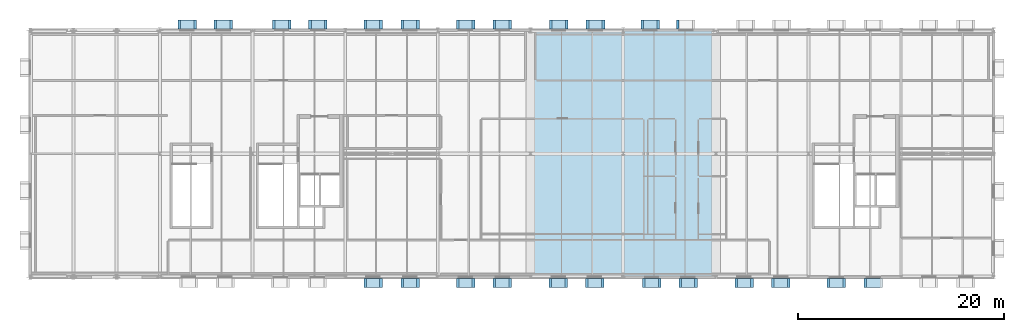
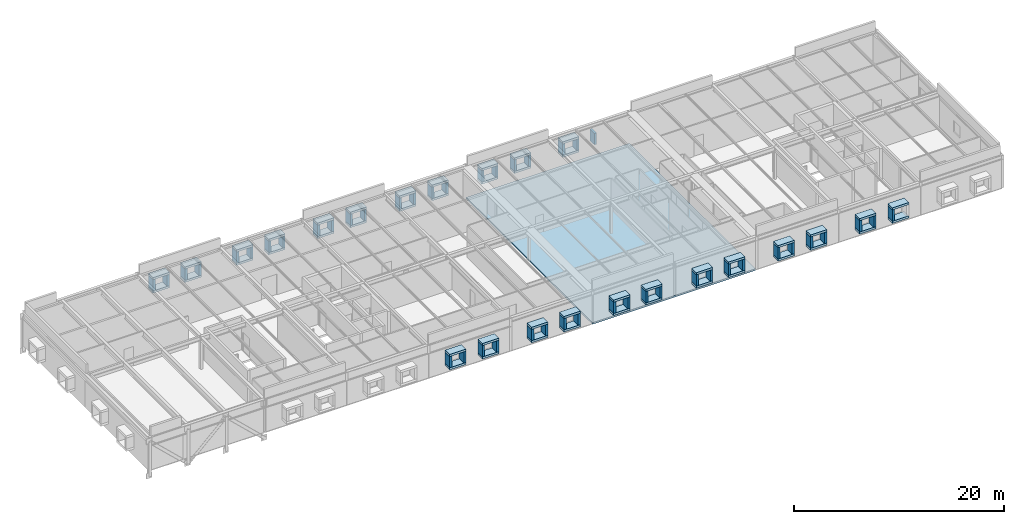
# One storey, part 6 of 16: 92 plates, 1 slab.
"""IFC4 building model written with IfcOpenShell, lengths in metres."""

from ifc_helpers import new_model, si_unit, direction, frame, origin, origin_2d, place, context, subcontext, project, spatial, polyline, rectangle, outline, extrude, material, layer, layer_set, type_object, element, save


model = new_model("IFC4")

# Units and contexts
model_context = context("Model", 3, precision=1e-05, world=origin(), true_north=direction((0.0, 1.0)))
body_context = subcontext(model_context, "Body", "Model", "MODEL_VIEW")
ifc_project = project(units=[si_unit("LENGTHUNIT", "METRE"), si_unit("AREAUNIT", "SQUARE_METRE"), si_unit("VOLUMEUNIT", "CUBIC_METRE"), si_unit("PLANEANGLEUNIT", "RADIAN"), si_unit("MASSUNIT", "GRAM", prefix="KILO")], contexts=[model_context])

# Site, building, storey
site_placement = place(None, origin())
site = spatial("IfcSite", under=ifc_project, at=site_placement, CompositionType="ELEMENT")
building_placement = place(site_placement, origin())
building = spatial("IfcBuilding", under=site, at=building_placement, Name="Montelvaro Courts of Justice", CompositionType="ELEMENT")
storey_placement = place(building_placement, frame((0.0, 0.0, 35.39990234375)))
storey = spatial("IfcBuildingStorey", under=building, at=storey_placement, Name="L08", CompositionType="ELEMENT", Elevation=35.39990234375)

# Slab
ifc_material_1 = material(Name="Concrete C35/45", Category="concrete")
ifc_layer_1 = layer(ifc_material_1, 0.199951171875)
ifc_layer_set_1 = layer_set([ifc_layer_1], Name="Concrete C35/45")
slab_type = type_object("IfcSlabType", Name="FloorSlab_200", PredefinedType="FLOOR", material=ifc_layer_set_1)
slab_placement = place(storey_placement, frame((0.0, 0.0, -0.199951171875)))
element("IfcSlab", 1, at=slab_placement, inside=storey, type_object=slab_type, Name="Structural Slab SF-09 L08", PredefinedType="FLOOR", context=body_context, shape_type="SweptSolid", body=[
    extrude(outline(polyline([(81.050048828125, 0.0), (98.949951171875, 0.0), (98.949951171875, 24.0), (81.050048828125, 24.0), (81.050048828125, 0.0)])), origin(), (0.0, 0.0, 1.0), 0.199951171875),
])

# Plates
ifc_material_2 = material(Name="White mineral precast concrete C45/55", Category="concrete")
ifc_layer_2 = layer(ifc_material_2, 0.25)
ifc_layer_set_2 = layer_set([ifc_layer_2], Name="White mineral precast concrete C45/55")
plate_type = type_object("IfcPlateType", Name="PrecastSquareFrame_250x850", PredefinedType="SHEET", material=ifc_layer_set_2)
for number, where, z_axis, x_axis, name in (
    (2, (65.702880859375, -0.56005859375, 2.35009765625), (0.0, 0.0, 1.0), (1.0, 0.0, 0.0), "Graduated Square Window Frame PF-03 W-L08-374 TOP"),
    (3, (65.702880859375, -0.56005859375, 0.800048828125), (0.0, 0.0, 1.0), (1.0, 0.0, 0.0), "Graduated Square Window Frame PF-03 W-L08-374 BOT"),
):
    element("IfcPlate", number, at=place(storey_placement, frame(where, z_axis=z_axis, x_axis=x_axis)), inside=storey, type_object=plate_type, Name=name, PredefinedType="SHEET", context=body_context, shape_type="SweptSolid", body=[
        extrude(rectangle(XDim=1.800048828125, YDim=0.860107421875, at=origin_2d()), origin(), (0.0, 0.0, 1.0), 0.25),
    ])
for number, where, z_axis, x_axis, name in (
    (4, (64.927978515625, -0.56005859375, 1.05029296875), (0.0, 0.0, 1.0), (1.0, 0.0, 0.0), "Graduated Square Window Frame PF-03 W-L08-374 L"),
    (5, (66.47802734375, -0.56005859375, 1.05029296875), (0.0, 0.0, 1.0), (1.0, 0.0, 0.0), "Graduated Square Window Frame PF-03 W-L08-374 R"),
):
    element("IfcPlate", number, at=place(storey_placement, frame(where, z_axis=z_axis, x_axis=x_axis)), inside=storey, type_object=plate_type, Name=name, PredefinedType="SHEET", context=body_context, shape_type="SweptSolid", body=[
        extrude(rectangle(XDim=0.25, YDim=0.860107421875, at=origin_2d()), origin(), (0.0, 0.0, 1.0), 1.300048828125),
    ])
for number, where, z_axis, x_axis, name in (
    (6, (69.297119140625, -0.56005859375, 2.35009765625), (0.0, 0.0, 1.0), (1.0, 0.0, 0.0), "Graduated Square Window Frame PF-03 W-L08-375 TOP"),
    (7, (69.297119140625, -0.56005859375, 0.800048828125), (0.0, 0.0, 1.0), (1.0, 0.0, 0.0), "Graduated Square Window Frame PF-03 W-L08-375 BOT"),
):
    element("IfcPlate", number, at=place(storey_placement, frame(where, z_axis=z_axis, x_axis=x_axis)), inside=storey, type_object=plate_type, Name=name, PredefinedType="SHEET", context=body_context, shape_type="SweptSolid", body=[
        extrude(rectangle(XDim=1.800048828125, YDim=0.860107421875, at=origin_2d()), origin(), (0.0, 0.0, 1.0), 0.25),
    ])
for number, where, z_axis, x_axis, name in (
    (8, (68.52197265625, -0.56005859375, 1.05029296875), (0.0, 0.0, 1.0), (1.0, 0.0, 0.0), "Graduated Square Window Frame PF-03 W-L08-375 L"),
    (9, (70.072021484375, -0.56005859375, 1.05029296875), (0.0, 0.0, 1.0), (1.0, 0.0, 0.0), "Graduated Square Window Frame PF-03 W-L08-375 R"),
):
    element("IfcPlate", number, at=place(storey_placement, frame(where, z_axis=z_axis, x_axis=x_axis)), inside=storey, type_object=plate_type, Name=name, PredefinedType="SHEET", context=body_context, shape_type="SweptSolid", body=[
        extrude(rectangle(XDim=0.25, YDim=0.860107421875, at=origin_2d()), origin(), (0.0, 0.0, 1.0), 1.300048828125),
    ])
for number, where, z_axis, x_axis, name in (
    (10, (74.68798828125, -0.56005859375, 2.35009765625), (0.0, 0.0, 1.0), (1.0, 0.0, 0.0), "Graduated Square Window Frame PF-03 W-L08-376 TOP"),
    (11, (74.68798828125, -0.56005859375, 0.800048828125), (0.0, 0.0, 1.0), (1.0, 0.0, 0.0), "Graduated Square Window Frame PF-03 W-L08-376 BOT"),
):
    element("IfcPlate", number, at=place(storey_placement, frame(where, z_axis=z_axis, x_axis=x_axis)), inside=storey, type_object=plate_type, Name=name, PredefinedType="SHEET", context=body_context, shape_type="SweptSolid", body=[
        extrude(rectangle(XDim=1.800048828125, YDim=0.860107421875, at=origin_2d()), origin(), (0.0, 0.0, 1.0), 0.25),
    ])
for number, where, z_axis, x_axis, name in (
    (12, (73.9130859375, -0.56005859375, 1.05029296875), (0.0, 0.0, 1.0), (1.0, 0.0, 0.0), "Graduated Square Window Frame PF-03 W-L08-376 L"),
    (13, (75.462890625, -0.56005859375, 1.05029296875), (0.0, 0.0, 1.0), (1.0, 0.0, 0.0), "Graduated Square Window Frame PF-03 W-L08-376 R"),
):
    element("IfcPlate", number, at=place(storey_placement, frame(where, z_axis=z_axis, x_axis=x_axis)), inside=storey, type_object=plate_type, Name=name, PredefinedType="SHEET", context=body_context, shape_type="SweptSolid", body=[
        extrude(rectangle(XDim=0.25, YDim=0.860107421875, at=origin_2d()), origin(), (0.0, 0.0, 1.0), 1.300048828125),
    ])
for number, where, z_axis, x_axis, name in (
    (14, (78.261962890625, -0.56005859375, 2.35009765625), (0.0, 0.0, 1.0), (1.0, 0.0, 0.0), "Graduated Square Window Frame PF-03 W-L08-377 TOP"),
    (15, (78.261962890625, -0.56005859375, 0.800048828125), (0.0, 0.0, 1.0), (1.0, 0.0, 0.0), "Graduated Square Window Frame PF-03 W-L08-377 BOT"),
):
    element("IfcPlate", number, at=place(storey_placement, frame(where, z_axis=z_axis, x_axis=x_axis)), inside=storey, type_object=plate_type, Name=name, PredefinedType="SHEET", context=body_context, shape_type="SweptSolid", body=[
        extrude(rectangle(XDim=1.800048828125, YDim=0.860107421875, at=origin_2d()), origin(), (0.0, 0.0, 1.0), 0.25),
    ])
for number, where, z_axis, x_axis, name in (
    (16, (77.487060546875, -0.56005859375, 1.05029296875), (0.0, 0.0, 1.0), (1.0, 0.0, 0.0), "Graduated Square Window Frame PF-03 W-L08-377 L"),
    (17, (79.037109375, -0.56005859375, 1.05029296875), (0.0, 0.0, 1.0), (1.0, 0.0, 0.0), "Graduated Square Window Frame PF-03 W-L08-377 R"),
):
    element("IfcPlate", number, at=place(storey_placement, frame(where, z_axis=z_axis, x_axis=x_axis)), inside=storey, type_object=plate_type, Name=name, PredefinedType="SHEET", context=body_context, shape_type="SweptSolid", body=[
        extrude(rectangle(XDim=0.25, YDim=0.860107421875, at=origin_2d()), origin(), (0.0, 0.0, 1.0), 1.300048828125),
    ])
for number, where, z_axis, x_axis, name in (
    (18, (78.261962890625, 24.56005859375, 2.35009765625), (0.0, 0.0, 1.0), (-1.0, 0.0, 0.0), "Graduated Square Window Frame PF-03 W-L08-378 TOP"),
    (19, (78.261962890625, 24.56005859375, 0.800048828125), (0.0, 0.0, 1.0), (-1.0, 0.0, 0.0), "Graduated Square Window Frame PF-03 W-L08-378 BOT"),
):
    element("IfcPlate", number, at=place(storey_placement, frame(where, z_axis=z_axis, x_axis=x_axis)), inside=storey, type_object=plate_type, Name=name, PredefinedType="SHEET", context=body_context, shape_type="SweptSolid", body=[
        extrude(rectangle(XDim=1.800048828125, YDim=0.860107421875, at=origin_2d()), origin(), (0.0, 0.0, 1.0), 0.25),
    ])
for number, where, z_axis, x_axis, name in (
    (20, (79.037109375, 24.56005859375, 1.05029296875), (0.0, 0.0, 1.0), (-1.0, 0.0, 0.0), "Graduated Square Window Frame PF-03 W-L08-378 L"),
    (21, (77.487060546875, 24.56005859375, 1.05029296875), (0.0, 0.0, 1.0), (-1.0, 0.0, 0.0), "Graduated Square Window Frame PF-03 W-L08-378 R"),
):
    element("IfcPlate", number, at=place(storey_placement, frame(where, z_axis=z_axis, x_axis=x_axis)), inside=storey, type_object=plate_type, Name=name, PredefinedType="SHEET", context=body_context, shape_type="SweptSolid", body=[
        extrude(rectangle(XDim=0.25, YDim=0.860107421875, at=origin_2d()), origin(), (0.0, 0.0, 1.0), 1.300048828125),
    ])
for number, where, z_axis, x_axis, name in (
    (22, (74.68798828125, 24.56005859375, 2.35009765625), (0.0, 0.0, 1.0), (-1.0, 0.0, 0.0), "Graduated Square Window Frame PF-03 W-L08-379 TOP"),
    (23, (74.68798828125, 24.56005859375, 0.800048828125), (0.0, 0.0, 1.0), (-1.0, 0.0, 0.0), "Graduated Square Window Frame PF-03 W-L08-379 BOT"),
):
    element("IfcPlate", number, at=place(storey_placement, frame(where, z_axis=z_axis, x_axis=x_axis)), inside=storey, type_object=plate_type, Name=name, PredefinedType="SHEET", context=body_context, shape_type="SweptSolid", body=[
        extrude(rectangle(XDim=1.800048828125, YDim=0.860107421875, at=origin_2d()), origin(), (0.0, 0.0, 1.0), 0.25),
    ])
for number, where, z_axis, x_axis, name in (
    (24, (75.462890625, 24.56005859375, 1.05029296875), (0.0, 0.0, 1.0), (-1.0, 0.0, 0.0), "Graduated Square Window Frame PF-03 W-L08-379 L"),
    (25, (73.9130859375, 24.56005859375, 1.05029296875), (0.0, 0.0, 1.0), (-1.0, 0.0, 0.0), "Graduated Square Window Frame PF-03 W-L08-379 R"),
):
    element("IfcPlate", number, at=place(storey_placement, frame(where, z_axis=z_axis, x_axis=x_axis)), inside=storey, type_object=plate_type, Name=name, PredefinedType="SHEET", context=body_context, shape_type="SweptSolid", body=[
        extrude(rectangle(XDim=0.25, YDim=0.860107421875, at=origin_2d()), origin(), (0.0, 0.0, 1.0), 1.300048828125),
    ])
for number, where, z_axis, x_axis, name in (
    (26, (69.297119140625, 24.56005859375, 2.35009765625), (0.0, 0.0, 1.0), (-1.0, 0.0, 0.0), "Graduated Square Window Frame PF-03 W-L08-380 TOP"),
    (27, (69.297119140625, 24.56005859375, 0.800048828125), (0.0, 0.0, 1.0), (-1.0, 0.0, 0.0), "Graduated Square Window Frame PF-03 W-L08-380 BOT"),
):
    element("IfcPlate", number, at=place(storey_placement, frame(where, z_axis=z_axis, x_axis=x_axis)), inside=storey, type_object=plate_type, Name=name, PredefinedType="SHEET", context=body_context, shape_type="SweptSolid", body=[
        extrude(rectangle(XDim=1.800048828125, YDim=0.860107421875, at=origin_2d()), origin(), (0.0, 0.0, 1.0), 0.25),
    ])
for number, where, z_axis, x_axis, name in (
    (28, (70.072021484375, 24.56005859375, 1.05029296875), (0.0, 0.0, 1.0), (-1.0, 0.0, 0.0), "Graduated Square Window Frame PF-03 W-L08-380 L"),
    (29, (68.52197265625, 24.56005859375, 1.05029296875), (0.0, 0.0, 1.0), (-1.0, 0.0, 0.0), "Graduated Square Window Frame PF-03 W-L08-380 R"),
):
    element("IfcPlate", number, at=place(storey_placement, frame(where, z_axis=z_axis, x_axis=x_axis)), inside=storey, type_object=plate_type, Name=name, PredefinedType="SHEET", context=body_context, shape_type="SweptSolid", body=[
        extrude(rectangle(XDim=0.25, YDim=0.860107421875, at=origin_2d()), origin(), (0.0, 0.0, 1.0), 1.300048828125),
    ])
for number, where, z_axis, x_axis, name in (
    (30, (65.702880859375, 24.56005859375, 2.35009765625), (0.0, 0.0, 1.0), (-1.0, 0.0, 0.0), "Graduated Square Window Frame PF-03 W-L08-381 TOP"),
    (31, (65.702880859375, 24.56005859375, 0.800048828125), (0.0, 0.0, 1.0), (-1.0, 0.0, 0.0), "Graduated Square Window Frame PF-03 W-L08-381 BOT"),
):
    element("IfcPlate", number, at=place(storey_placement, frame(where, z_axis=z_axis, x_axis=x_axis)), inside=storey, type_object=plate_type, Name=name, PredefinedType="SHEET", context=body_context, shape_type="SweptSolid", body=[
        extrude(rectangle(XDim=1.800048828125, YDim=0.860107421875, at=origin_2d()), origin(), (0.0, 0.0, 1.0), 0.25),
    ])
for number, where, z_axis, x_axis, name in (
    (32, (66.47802734375, 24.56005859375, 1.05029296875), (0.0, 0.0, 1.0), (-1.0, 0.0, 0.0), "Graduated Square Window Frame PF-03 W-L08-381 L"),
    (33, (64.927978515625, 24.56005859375, 1.05029296875), (0.0, 0.0, 1.0), (-1.0, 0.0, 0.0), "Graduated Square Window Frame PF-03 W-L08-381 R"),
):
    element("IfcPlate", number, at=place(storey_placement, frame(where, z_axis=z_axis, x_axis=x_axis)), inside=storey, type_object=plate_type, Name=name, PredefinedType="SHEET", context=body_context, shape_type="SweptSolid", body=[
        extrude(rectangle(XDim=0.25, YDim=0.860107421875, at=origin_2d()), origin(), (0.0, 0.0, 1.0), 1.300048828125),
    ])
for number, where, z_axis, x_axis, name in (
    (34, (60.35400390625, 24.56005859375, 2.35009765625), (0.0, 0.0, 1.0), (-1.0, 0.0, 0.0), "Graduated Square Window Frame PF-03 W-L08-382 TOP"),
    (35, (60.35400390625, 24.56005859375, 0.800048828125), (0.0, 0.0, 1.0), (-1.0, 0.0, 0.0), "Graduated Square Window Frame PF-03 W-L08-382 BOT"),
):
    element("IfcPlate", number, at=place(storey_placement, frame(where, z_axis=z_axis, x_axis=x_axis)), inside=storey, type_object=plate_type, Name=name, PredefinedType="SHEET", context=body_context, shape_type="SweptSolid", body=[
        extrude(rectangle(XDim=1.800048828125, YDim=0.860107421875, at=origin_2d()), origin(), (0.0, 0.0, 1.0), 0.25),
    ])
for number, where, z_axis, x_axis, name in (
    (36, (61.12890625, 24.56005859375, 1.05029296875), (0.0, 0.0, 1.0), (-1.0, 0.0, 0.0), "Graduated Square Window Frame PF-03 W-L08-382 L"),
    (37, (59.5791015625, 24.56005859375, 1.05029296875), (0.0, 0.0, 1.0), (-1.0, 0.0, 0.0), "Graduated Square Window Frame PF-03 W-L08-382 R"),
):
    element("IfcPlate", number, at=place(storey_placement, frame(where, z_axis=z_axis, x_axis=x_axis)), inside=storey, type_object=plate_type, Name=name, PredefinedType="SHEET", context=body_context, shape_type="SweptSolid", body=[
        extrude(rectangle(XDim=0.25, YDim=0.860107421875, at=origin_2d()), origin(), (0.0, 0.0, 1.0), 1.300048828125),
    ])
for number, where, z_axis, x_axis, name in (
    (38, (56.8359375, 24.56005859375, 2.35009765625), (0.0, 0.0, 1.0), (-1.0, 0.0, 0.0), "Graduated Square Window Frame PF-03 W-L08-383 TOP"),
    (39, (56.8359375, 24.56005859375, 0.800048828125), (0.0, 0.0, 1.0), (-1.0, 0.0, 0.0), "Graduated Square Window Frame PF-03 W-L08-383 BOT"),
):
    element("IfcPlate", number, at=place(storey_placement, frame(where, z_axis=z_axis, x_axis=x_axis)), inside=storey, type_object=plate_type, Name=name, PredefinedType="SHEET", context=body_context, shape_type="SweptSolid", body=[
        extrude(rectangle(XDim=1.800048828125, YDim=0.860107421875, at=origin_2d()), origin(), (0.0, 0.0, 1.0), 0.25),
    ])
for number, where, z_axis, x_axis, name in (
    (40, (57.611083984375, 24.56005859375, 1.05029296875), (0.0, 0.0, 1.0), (-1.0, 0.0, 0.0), "Graduated Square Window Frame PF-03 W-L08-383 L"),
    (41, (56.06103515625, 24.56005859375, 1.05029296875), (0.0, 0.0, 1.0), (-1.0, 0.0, 0.0), "Graduated Square Window Frame PF-03 W-L08-383 R"),
):
    element("IfcPlate", number, at=place(storey_placement, frame(where, z_axis=z_axis, x_axis=x_axis)), inside=storey, type_object=plate_type, Name=name, PredefinedType="SHEET", context=body_context, shape_type="SweptSolid", body=[
        extrude(rectangle(XDim=0.25, YDim=0.860107421875, at=origin_2d()), origin(), (0.0, 0.0, 1.0), 1.300048828125),
    ])
for number, where, z_axis, x_axis, name in (
    (42, (51.1640625, 24.56005859375, 2.35009765625), (0.0, 0.0, 1.0), (-1.0, 0.0, 0.0), "Graduated Square Window Frame PF-03 W-L08-384 TOP"),
    (43, (51.1640625, 24.56005859375, 0.800048828125), (0.0, 0.0, 1.0), (-1.0, 0.0, 0.0), "Graduated Square Window Frame PF-03 W-L08-384 BOT"),
):
    element("IfcPlate", number, at=place(storey_placement, frame(where, z_axis=z_axis, x_axis=x_axis)), inside=storey, type_object=plate_type, Name=name, PredefinedType="SHEET", context=body_context, shape_type="SweptSolid", body=[
        extrude(rectangle(XDim=1.800048828125, YDim=0.860107421875, at=origin_2d()), origin(), (0.0, 0.0, 1.0), 0.25),
    ])
for number, where, z_axis, x_axis, name in (
    (44, (51.93896484375, 24.56005859375, 1.05029296875), (0.0, 0.0, 1.0), (-1.0, 0.0, 0.0), "Graduated Square Window Frame PF-03 W-L08-384 L"),
    (45, (50.388916015625, 24.56005859375, 1.05029296875), (0.0, 0.0, 1.0), (-1.0, 0.0, 0.0), "Graduated Square Window Frame PF-03 W-L08-384 R"),
):
    element("IfcPlate", number, at=place(storey_placement, frame(where, z_axis=z_axis, x_axis=x_axis)), inside=storey, type_object=plate_type, Name=name, PredefinedType="SHEET", context=body_context, shape_type="SweptSolid", body=[
        extrude(rectangle(XDim=0.25, YDim=0.860107421875, at=origin_2d()), origin(), (0.0, 0.0, 1.0), 1.300048828125),
    ])
for number, where, z_axis, x_axis, name in (
    (46, (47.64599609375, 24.56005859375, 2.35009765625), (0.0, 0.0, 1.0), (-1.0, 0.0, 0.0), "Graduated Square Window Frame PF-03 W-L08-385 TOP"),
    (47, (47.64599609375, 24.56005859375, 0.800048828125), (0.0, 0.0, 1.0), (-1.0, 0.0, 0.0), "Graduated Square Window Frame PF-03 W-L08-385 BOT"),
):
    element("IfcPlate", number, at=place(storey_placement, frame(where, z_axis=z_axis, x_axis=x_axis)), inside=storey, type_object=plate_type, Name=name, PredefinedType="SHEET", context=body_context, shape_type="SweptSolid", body=[
        extrude(rectangle(XDim=1.800048828125, YDim=0.860107421875, at=origin_2d()), origin(), (0.0, 0.0, 1.0), 0.25),
    ])
for number, where, z_axis, x_axis, name in (
    (48, (48.4208984375, 24.56005859375, 1.05029296875), (0.0, 0.0, 1.0), (-1.0, 0.0, 0.0), "Graduated Square Window Frame PF-03 W-L08-385 L"),
    (49, (46.87109375, 24.56005859375, 1.05029296875), (0.0, 0.0, 1.0), (-1.0, 0.0, 0.0), "Graduated Square Window Frame PF-03 W-L08-385 R"),
):
    element("IfcPlate", number, at=place(storey_placement, frame(where, z_axis=z_axis, x_axis=x_axis)), inside=storey, type_object=plate_type, Name=name, PredefinedType="SHEET", context=body_context, shape_type="SweptSolid", body=[
        extrude(rectangle(XDim=0.25, YDim=0.860107421875, at=origin_2d()), origin(), (0.0, 0.0, 1.0), 1.300048828125),
    ])
for number, where, z_axis, x_axis, name in (
    (50, (83.701904296875, -0.56005859375, 2.35009765625), (0.0, 0.0, 1.0), (1.0, 0.0, 0.0), "Graduated Square Window Frame PF-03 W-L08-390 TOP"),
    (51, (83.701904296875, -0.56005859375, 0.800048828125), (0.0, 0.0, 1.0), (1.0, 0.0, 0.0), "Graduated Square Window Frame PF-03 W-L08-390 BOT"),
):
    element("IfcPlate", number, at=place(storey_placement, frame(where, z_axis=z_axis, x_axis=x_axis)), inside=storey, type_object=plate_type, Name=name, PredefinedType="SHEET", context=body_context, shape_type="SweptSolid", body=[
        extrude(rectangle(XDim=1.800048828125, YDim=0.860107421875, at=origin_2d()), origin(), (0.0, 0.0, 1.0), 0.25),
    ])
for number, where, z_axis, x_axis, name in (
    (52, (82.927001953125, -0.56005859375, 1.05029296875), (0.0, 0.0, 1.0), (1.0, 0.0, 0.0), "Graduated Square Window Frame PF-03 W-L08-390 L"),
    (53, (84.47705078125, -0.56005859375, 1.05029296875), (0.0, 0.0, 1.0), (1.0, 0.0, 0.0), "Graduated Square Window Frame PF-03 W-L08-390 R"),
):
    element("IfcPlate", number, at=place(storey_placement, frame(where, z_axis=z_axis, x_axis=x_axis)), inside=storey, type_object=plate_type, Name=name, PredefinedType="SHEET", context=body_context, shape_type="SweptSolid", body=[
        extrude(rectangle(XDim=0.25, YDim=0.860107421875, at=origin_2d()), origin(), (0.0, 0.0, 1.0), 1.300048828125),
    ])
for number, where, z_axis, x_axis, name in (
    (54, (87.22802734375, -0.56005859375, 2.35009765625), (0.0, 0.0, 1.0), (1.0, 0.0, 0.0), "Graduated Square Window Frame PF-03 W-L08-391 TOP"),
    (55, (87.22802734375, -0.56005859375, 0.800048828125), (0.0, 0.0, 1.0), (1.0, 0.0, 0.0), "Graduated Square Window Frame PF-03 W-L08-391 BOT"),
):
    element("IfcPlate", number, at=place(storey_placement, frame(where, z_axis=z_axis, x_axis=x_axis)), inside=storey, type_object=plate_type, Name=name, PredefinedType="SHEET", context=body_context, shape_type="SweptSolid", body=[
        extrude(rectangle(XDim=1.800048828125, YDim=0.860107421875, at=origin_2d()), origin(), (0.0, 0.0, 1.0), 0.25),
    ])
for number, where, z_axis, x_axis, name in (
    (56, (86.452880859375, -0.56005859375, 1.05029296875), (0.0, 0.0, 1.0), (1.0, 0.0, 0.0), "Graduated Square Window Frame PF-03 W-L08-391 L"),
    (57, (88.0029296875, -0.56005859375, 1.05029296875), (0.0, 0.0, 1.0), (1.0, 0.0, 0.0), "Graduated Square Window Frame PF-03 W-L08-391 R"),
):
    element("IfcPlate", number, at=place(storey_placement, frame(where, z_axis=z_axis, x_axis=x_axis)), inside=storey, type_object=plate_type, Name=name, PredefinedType="SHEET", context=body_context, shape_type="SweptSolid", body=[
        extrude(rectangle(XDim=0.25, YDim=0.860107421875, at=origin_2d()), origin(), (0.0, 0.0, 1.0), 1.300048828125),
    ])
for number, where, z_axis, x_axis, name in (
    (58, (92.77197265625, -0.56005859375, 2.35009765625), (0.0, 0.0, 1.0), (1.0, 0.0, 0.0), "Graduated Square Window Frame PF-03 W-L08-392 TOP"),
    (59, (92.77197265625, -0.56005859375, 0.800048828125), (0.0, 0.0, 1.0), (1.0, 0.0, 0.0), "Graduated Square Window Frame PF-03 W-L08-392 BOT"),
):
    element("IfcPlate", number, at=place(storey_placement, frame(where, z_axis=z_axis, x_axis=x_axis)), inside=storey, type_object=plate_type, Name=name, PredefinedType="SHEET", context=body_context, shape_type="SweptSolid", body=[
        extrude(rectangle(XDim=1.800048828125, YDim=0.860107421875, at=origin_2d()), origin(), (0.0, 0.0, 1.0), 0.25),
    ])
for number, where, z_axis, x_axis, name in (
    (60, (91.9970703125, -0.56005859375, 1.05029296875), (0.0, 0.0, 1.0), (1.0, 0.0, 0.0), "Graduated Square Window Frame PF-03 W-L08-392 L"),
    (61, (93.547119140625, -0.56005859375, 1.05029296875), (0.0, 0.0, 1.0), (1.0, 0.0, 0.0), "Graduated Square Window Frame PF-03 W-L08-392 R"),
):
    element("IfcPlate", number, at=place(storey_placement, frame(where, z_axis=z_axis, x_axis=x_axis)), inside=storey, type_object=plate_type, Name=name, PredefinedType="SHEET", context=body_context, shape_type="SweptSolid", body=[
        extrude(rectangle(XDim=0.25, YDim=0.860107421875, at=origin_2d()), origin(), (0.0, 0.0, 1.0), 1.300048828125),
    ])
for number, where, z_axis, x_axis, name in (
    (62, (96.298095703125, -0.56005859375, 2.35009765625), (0.0, 0.0, 1.0), (1.0, 0.0, 0.0), "Graduated Square Window Frame PF-03 W-L08-393 TOP"),
    (63, (96.298095703125, -0.56005859375, 0.800048828125), (0.0, 0.0, 1.0), (1.0, 0.0, 0.0), "Graduated Square Window Frame PF-03 W-L08-393 BOT"),
):
    element("IfcPlate", number, at=place(storey_placement, frame(where, z_axis=z_axis, x_axis=x_axis)), inside=storey, type_object=plate_type, Name=name, PredefinedType="SHEET", context=body_context, shape_type="SweptSolid", body=[
        extrude(rectangle(XDim=1.800048828125, YDim=0.860107421875, at=origin_2d()), origin(), (0.0, 0.0, 1.0), 0.25),
    ])
for number, where, z_axis, x_axis, name in (
    (64, (95.52294921875, -0.56005859375, 1.05029296875), (0.0, 0.0, 1.0), (1.0, 0.0, 0.0), "Graduated Square Window Frame PF-03 W-L08-393 L"),
    (65, (97.072998046875, -0.56005859375, 1.05029296875), (0.0, 0.0, 1.0), (1.0, 0.0, 0.0), "Graduated Square Window Frame PF-03 W-L08-393 R"),
    (66, (95.319091796875, 24.56005859375, 1.05029296875), (0.0, 0.0, 1.0), (-1.0, 0.0, 0.0), "Graduated Square Window Frame PF-03 W-L08-394 R"),
):
    element("IfcPlate", number, at=place(storey_placement, frame(where, z_axis=z_axis, x_axis=x_axis)), inside=storey, type_object=plate_type, Name=name, PredefinedType="SHEET", context=body_context, shape_type="SweptSolid", body=[
        extrude(rectangle(XDim=0.25, YDim=0.860107421875, at=origin_2d()), origin(), (0.0, 0.0, 1.0), 1.300048828125),
    ])
for number, where, z_axis, x_axis, name in (
    (67, (92.615966796875, 24.56005859375, 2.35009765625), (0.0, 0.0, 1.0), (-1.0, 0.0, 0.0), "Graduated Square Window Frame PF-03 W-L08-395 TOP"),
    (68, (92.615966796875, 24.56005859375, 0.800048828125), (0.0, 0.0, 1.0), (-1.0, 0.0, 0.0), "Graduated Square Window Frame PF-03 W-L08-395 BOT"),
):
    element("IfcPlate", number, at=place(storey_placement, frame(where, z_axis=z_axis, x_axis=x_axis)), inside=storey, type_object=plate_type, Name=name, PredefinedType="SHEET", context=body_context, shape_type="SweptSolid", body=[
        extrude(rectangle(XDim=1.800048828125, YDim=0.860107421875, at=origin_2d()), origin(), (0.0, 0.0, 1.0), 0.25),
    ])
for number, where, z_axis, x_axis, name in (
    (69, (93.39111328125, 24.56005859375, 1.05029296875), (0.0, 0.0, 1.0), (-1.0, 0.0, 0.0), "Graduated Square Window Frame PF-03 W-L08-395 L"),
    (70, (91.841064453125, 24.56005859375, 1.05029296875), (0.0, 0.0, 1.0), (-1.0, 0.0, 0.0), "Graduated Square Window Frame PF-03 W-L08-395 R"),
):
    element("IfcPlate", number, at=place(storey_placement, frame(where, z_axis=z_axis, x_axis=x_axis)), inside=storey, type_object=plate_type, Name=name, PredefinedType="SHEET", context=body_context, shape_type="SweptSolid", body=[
        extrude(rectangle(XDim=0.25, YDim=0.860107421875, at=origin_2d()), origin(), (0.0, 0.0, 1.0), 1.300048828125),
    ])
for number, where, z_axis, x_axis, name in (
    (71, (87.31201171875, 24.56005859375, 2.35009765625), (0.0, 0.0, 1.0), (-1.0, 0.0, 0.0), "Graduated Square Window Frame PF-03 W-L08-396 TOP"),
    (72, (87.31201171875, 24.56005859375, 0.800048828125), (0.0, 0.0, 1.0), (-1.0, 0.0, 0.0), "Graduated Square Window Frame PF-03 W-L08-396 BOT"),
):
    element("IfcPlate", number, at=place(storey_placement, frame(where, z_axis=z_axis, x_axis=x_axis)), inside=storey, type_object=plate_type, Name=name, PredefinedType="SHEET", context=body_context, shape_type="SweptSolid", body=[
        extrude(rectangle(XDim=1.800048828125, YDim=0.860107421875, at=origin_2d()), origin(), (0.0, 0.0, 1.0), 0.25),
    ])
for number, where, z_axis, x_axis, name in (
    (73, (88.0869140625, 24.56005859375, 1.05029296875), (0.0, 0.0, 1.0), (-1.0, 0.0, 0.0), "Graduated Square Window Frame PF-03 W-L08-396 L"),
    (74, (86.537109375, 24.56005859375, 1.05029296875), (0.0, 0.0, 1.0), (-1.0, 0.0, 0.0), "Graduated Square Window Frame PF-03 W-L08-396 R"),
):
    element("IfcPlate", number, at=place(storey_placement, frame(where, z_axis=z_axis, x_axis=x_axis)), inside=storey, type_object=plate_type, Name=name, PredefinedType="SHEET", context=body_context, shape_type="SweptSolid", body=[
        extrude(rectangle(XDim=0.25, YDim=0.860107421875, at=origin_2d()), origin(), (0.0, 0.0, 1.0), 1.300048828125),
    ])
for number, where, z_axis, x_axis, name in (
    (75, (83.738037109375, 24.56005859375, 2.35009765625), (0.0, 0.0, 1.0), (-1.0, 0.0, 0.0), "Graduated Square Window Frame PF-03 W-L08-397 TOP"),
    (76, (83.738037109375, 24.56005859375, 0.800048828125), (0.0, 0.0, 1.0), (-1.0, 0.0, 0.0), "Graduated Square Window Frame PF-03 W-L08-397 BOT"),
):
    element("IfcPlate", number, at=place(storey_placement, frame(where, z_axis=z_axis, x_axis=x_axis)), inside=storey, type_object=plate_type, Name=name, PredefinedType="SHEET", context=body_context, shape_type="SweptSolid", body=[
        extrude(rectangle(XDim=1.800048828125, YDim=0.860107421875, at=origin_2d()), origin(), (0.0, 0.0, 1.0), 0.25),
    ])
for number, where, z_axis, x_axis, name in (
    (77, (84.512939453125, 24.56005859375, 1.05029296875), (0.0, 0.0, 1.0), (-1.0, 0.0, 0.0), "Graduated Square Window Frame PF-03 W-L08-397 L"),
    (78, (82.962890625, 24.56005859375, 1.05029296875), (0.0, 0.0, 1.0), (-1.0, 0.0, 0.0), "Graduated Square Window Frame PF-03 W-L08-397 R"),
):
    element("IfcPlate", number, at=place(storey_placement, frame(where, z_axis=z_axis, x_axis=x_axis)), inside=storey, type_object=plate_type, Name=name, PredefinedType="SHEET", context=body_context, shape_type="SweptSolid", body=[
        extrude(rectangle(XDim=0.25, YDim=0.860107421875, at=origin_2d()), origin(), (0.0, 0.0, 1.0), 1.300048828125),
    ])
for number, where, z_axis, x_axis, name in (
    (79, (101.738037109375, -0.56005859375, 2.35009765625), (0.0, 0.0, 1.0), (1.0, 0.0, 0.0), "Graduated Square Window Frame PF-03 W-L08-398 TOP"),
    (80, (101.738037109375, -0.56005859375, 0.800048828125), (0.0, 0.0, 1.0), (1.0, 0.0, 0.0), "Graduated Square Window Frame PF-03 W-L08-398 BOT"),
):
    element("IfcPlate", number, at=place(storey_placement, frame(where, z_axis=z_axis, x_axis=x_axis)), inside=storey, type_object=plate_type, Name=name, PredefinedType="SHEET", context=body_context, shape_type="SweptSolid", body=[
        extrude(rectangle(XDim=1.800048828125, YDim=0.860107421875, at=origin_2d()), origin(), (0.0, 0.0, 1.0), 0.25),
    ])
for number, where, z_axis, x_axis, name in (
    (81, (100.962890625, -0.56005859375, 1.05029296875), (0.0, 0.0, 1.0), (1.0, 0.0, 0.0), "Graduated Square Window Frame PF-03 W-L08-398 L"),
    (82, (102.512939453125, -0.56005859375, 1.05029296875), (0.0, 0.0, 1.0), (1.0, 0.0, 0.0), "Graduated Square Window Frame PF-03 W-L08-398 R"),
):
    element("IfcPlate", number, at=place(storey_placement, frame(where, z_axis=z_axis, x_axis=x_axis)), inside=storey, type_object=plate_type, Name=name, PredefinedType="SHEET", context=body_context, shape_type="SweptSolid", body=[
        extrude(rectangle(XDim=0.25, YDim=0.860107421875, at=origin_2d()), origin(), (0.0, 0.0, 1.0), 1.300048828125),
    ])
for number, where, z_axis, x_axis, name in (
    (83, (105.31201171875, -0.56005859375, 2.35009765625), (0.0, 0.0, 1.0), (1.0, 0.0, 0.0), "Graduated Square Window Frame PF-03 W-L08-399 TOP"),
    (84, (105.31201171875, -0.56005859375, 0.800048828125), (0.0, 0.0, 1.0), (1.0, 0.0, 0.0), "Graduated Square Window Frame PF-03 W-L08-399 BOT"),
):
    element("IfcPlate", number, at=place(storey_placement, frame(where, z_axis=z_axis, x_axis=x_axis)), inside=storey, type_object=plate_type, Name=name, PredefinedType="SHEET", context=body_context, shape_type="SweptSolid", body=[
        extrude(rectangle(XDim=1.800048828125, YDim=0.860107421875, at=origin_2d()), origin(), (0.0, 0.0, 1.0), 0.25),
    ])
for number, where, z_axis, x_axis, name in (
    (85, (104.537109375, -0.56005859375, 1.05029296875), (0.0, 0.0, 1.0), (1.0, 0.0, 0.0), "Graduated Square Window Frame PF-03 W-L08-399 L"),
    (86, (106.0869140625, -0.56005859375, 1.05029296875), (0.0, 0.0, 1.0), (1.0, 0.0, 0.0), "Graduated Square Window Frame PF-03 W-L08-399 R"),
):
    element("IfcPlate", number, at=place(storey_placement, frame(where, z_axis=z_axis, x_axis=x_axis)), inside=storey, type_object=plate_type, Name=name, PredefinedType="SHEET", context=body_context, shape_type="SweptSolid", body=[
        extrude(rectangle(XDim=0.25, YDim=0.860107421875, at=origin_2d()), origin(), (0.0, 0.0, 1.0), 1.300048828125),
    ])
for number, where, z_axis, x_axis, name in (
    (87, (110.702880859375, -0.56005859375, 2.35009765625), (0.0, 0.0, 1.0), (1.0, 0.0, 0.0), "Graduated Square Window Frame PF-03 W-L08-400 TOP"),
    (88, (110.702880859375, -0.56005859375, 0.800048828125), (0.0, 0.0, 1.0), (1.0, 0.0, 0.0), "Graduated Square Window Frame PF-03 W-L08-400 BOT"),
):
    element("IfcPlate", number, at=place(storey_placement, frame(where, z_axis=z_axis, x_axis=x_axis)), inside=storey, type_object=plate_type, Name=name, PredefinedType="SHEET", context=body_context, shape_type="SweptSolid", body=[
        extrude(rectangle(XDim=1.800048828125, YDim=0.860107421875, at=origin_2d()), origin(), (0.0, 0.0, 1.0), 0.25),
    ])
for number, where, z_axis, x_axis, name in (
    (89, (109.927978515625, -0.56005859375, 1.05029296875), (0.0, 0.0, 1.0), (1.0, 0.0, 0.0), "Graduated Square Window Frame PF-03 W-L08-400 L"),
    (90, (111.47802734375, -0.56005859375, 1.05029296875), (0.0, 0.0, 1.0), (1.0, 0.0, 0.0), "Graduated Square Window Frame PF-03 W-L08-400 R"),
):
    element("IfcPlate", number, at=place(storey_placement, frame(where, z_axis=z_axis, x_axis=x_axis)), inside=storey, type_object=plate_type, Name=name, PredefinedType="SHEET", context=body_context, shape_type="SweptSolid", body=[
        extrude(rectangle(XDim=0.25, YDim=0.860107421875, at=origin_2d()), origin(), (0.0, 0.0, 1.0), 1.300048828125),
    ])
for number, where, z_axis, x_axis, name in (
    (91, (114.297119140625, -0.56005859375, 2.35009765625), (0.0, 0.0, 1.0), (1.0, 0.0, 0.0), "Graduated Square Window Frame PF-03 W-L08-401 TOP"),
    (92, (114.297119140625, -0.56005859375, 0.800048828125), (0.0, 0.0, 1.0), (1.0, 0.0, 0.0), "Graduated Square Window Frame PF-03 W-L08-401 BOT"),
):
    element("IfcPlate", number, at=place(storey_placement, frame(where, z_axis=z_axis, x_axis=x_axis)), inside=storey, type_object=plate_type, Name=name, PredefinedType="SHEET", context=body_context, shape_type="SweptSolid", body=[
        extrude(rectangle(XDim=1.800048828125, YDim=0.860107421875, at=origin_2d()), origin(), (0.0, 0.0, 1.0), 0.25),
    ])
plate_placement = place(storey_placement, frame((113.52197265625, -0.56005859375, 1.05029296875), z_axis=(0.0, 0.0, 1.0), x_axis=(1.0, 0.0, 0.0)))
element("IfcPlate", 93, at=plate_placement, inside=storey, type_object=plate_type, Name="Graduated Square Window Frame PF-03 W-L08-401 L", PredefinedType="SHEET", context=body_context, shape_type="SweptSolid", body=[
    extrude(rectangle(XDim=0.25, YDim=0.860107421875, at=origin_2d()), origin(), (0.0, 0.0, 1.0), 1.300048828125),
])

save(model, "model.ifc")
